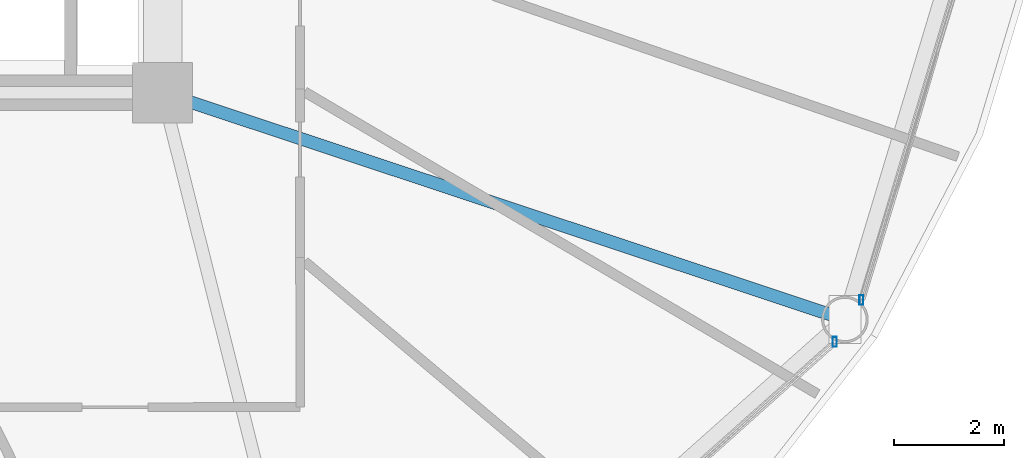
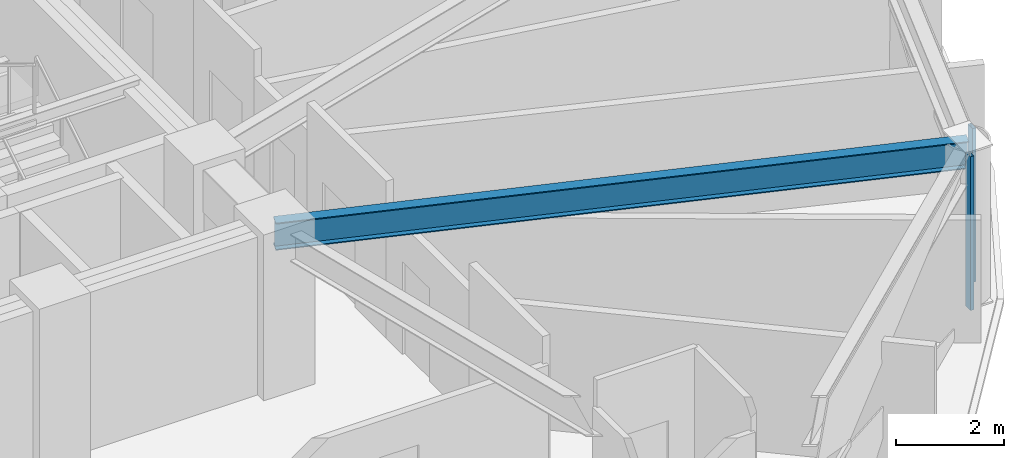
# One storey, part 11 of 31: 2 members, 1 beam, 2 elements without a shape of their own.
"""IFC4 building model written with IfcOpenShell, lengths in metres."""

from ifc_helpers import new_model, si_unit, direction, frame, origin, origin_2d, place, context, subcontext, project, spatial, hollow_rectangle, i_section, extrude, material, layer, layer_set, material_profile, profile_set, type_object, element, aggregate, save


model = new_model("IFC4")

# Units and contexts
model_context = context("Model", 3, precision=1e-05, world=origin(), true_north=direction((0.0, 1.0)))
body_context = subcontext(model_context, "Body", "Model", "MODEL_VIEW")
ifc_project = project(units=[si_unit("LENGTHUNIT", "METRE"), si_unit("AREAUNIT", "SQUARE_METRE"), si_unit("VOLUMEUNIT", "CUBIC_METRE"), si_unit("PLANEANGLEUNIT", "RADIAN"), si_unit("MASSUNIT", "GRAM", prefix="KILO")], contexts=[model_context])

# Site, building, storey
site_placement = place(None, origin())
site = spatial("IfcSite", under=ifc_project, at=site_placement, CompositionType="ELEMENT")
building_placement = place(site_placement, origin())
building = spatial("IfcBuilding", under=site, at=building_placement, Name="Vantalir Tower", CompositionType="ELEMENT")
storey_placement = place(building_placement, frame((0.0, 0.0, 30.75)))
storey = spatial("IfcBuildingStorey", under=building, at=storey_placement, Name="L06", CompositionType="ELEMENT", Elevation=30.75)

# Beam
ifc_material_1 = material(Name="Steel S355", Category="steel")
ifc_material_profile_1 = material_profile(ifc_material_1, i_section(OverallWidth=0.22998046875, OverallDepth=0.616943359375, WebThickness=0.01318359375, FlangeThickness=0.022216796875, at=origin_2d()), Name="Steel S355")
ifc_profile_set_1 = profile_set([ifc_material_profile_1], Name="Steel S355")
beam_type = type_object("IfcBeamType", Name="BM-RB-610x229", PredefinedType="BEAM", material=ifc_profile_set_1)
beam_placement = place(storey_placement, frame((53.5400390625, 13.66796875, 3.261962890625), z_axis=(-0.9490161576, 0.315227429984, 0.0), x_axis=(-0.315227429984, -0.9490161576, 0.0)))
element("IfcBeam", 1, at=beam_placement, inside=storey, type_object=beam_type, Name="L06 Radial Floor Beam 12", PredefinedType="BEAM", context=body_context, shape_type="SweptSolid", body=[
    extrude(i_section(OverallWidth=0.22998046875, OverallDepth=0.616943359375, WebThickness=0.01318359375, FlangeThickness=0.022216796875, at=origin_2d()), origin(), (0.0, 0.0, 1.0), 13.108154296875),
])

# Curtain wall, member
ifc_material_2 = material(Name="Champagne-silver PVDF aluminium and double-silver Low-E glass", Category="aluminium")
ifc_layer = layer(ifc_material_2, 0.18994140625)
ifc_layer_set = layer_set([ifc_layer], Name="Champagne-silver PVDF aluminium and double-silver Low-E glass")
curtain_wall_type = type_object("IfcCurtainWallType", Name="CW-DIAMOND-Z1", PredefinedType="USERDEFINED", material=ifc_layer_set)
curtain_wall_1_placement = place(storey_placement, origin())
curtain_wall_1 = element("IfcCurtainWall", 2, at=curtain_wall_1_placement, inside=storey, type_object=curtain_wall_type, Name="L06 Quilted Pyramid-Diamond Curtain Wall S11", ObjectType="UNITISED CURTAIN WALL", PredefinedType="USERDEFINED")
ifc_material_3 = material(Name="Champagne-silver PVDF aluminium 6063-T6", Category="aluminium")
ifc_material_profile_2 = material_profile(ifc_material_3, hollow_rectangle(XDim=0.074951171875, YDim=0.179931640625, WallThickness=0.00390625, at=origin_2d()), Name="Champagne-silver PVDF aluminium 6063-T6")
ifc_profile_set_2 = profile_set([ifc_material_profile_2], Name="Champagne-silver PVDF aluminium 6063-T6")
member_type = type_object("IfcMemberType", Name="CWM-180x75", PredefinedType="MULLION", material=ifc_profile_set_2)
member_1_placement = place(storey_placement, frame((53.35400390625, 13.260009765625, 0.044921875), z_axis=(0.0, 0.0, 1.0), x_axis=(1.0, 0.0, 0.0)))
member_1 = element("IfcMember", 3, at=member_1_placement, type_object=member_type, Name="CW-L06-S11 Mullion 2", PredefinedType="MULLION", context=body_context, shape_type="SweptSolid", body=[
    extrude(hollow_rectangle(XDim=0.074951171875, YDim=0.179931640625, WallThickness=0.00390625, at=origin_2d()), origin(), (0.0, 0.0, 1.0), 3.47998046875),
])
aggregate(curtain_wall_1, [member_1])

curtain_wall_2_placement = place(storey_placement, origin())
curtain_wall_2 = element("IfcCurtainWall", 4, at=curtain_wall_2_placement, inside=storey, type_object=curtain_wall_type, Name="L06 Quilted Pyramid-Diamond Curtain Wall S12", ObjectType="UNITISED CURTAIN WALL", PredefinedType="USERDEFINED")
member_2_placement = place(storey_placement, frame((53.840087890625, 14.02294921875, 0.044921875), z_axis=(0.0, 0.0, 1.0), x_axis=(1.0, 0.0, 0.0)))
member_2 = element("IfcMember", 5, at=member_2_placement, type_object=member_type, Name="CW-L06-S12 Mullion 1", PredefinedType="MULLION", context=body_context, shape_type="SweptSolid", body=[
    extrude(hollow_rectangle(XDim=0.074951171875, YDim=0.179931640625, WallThickness=0.00390625, at=origin_2d()), origin(), (0.0, 0.0, 1.0), 3.47998046875),
])
aggregate(curtain_wall_2, [member_2])

save(model, "model.ifc")
